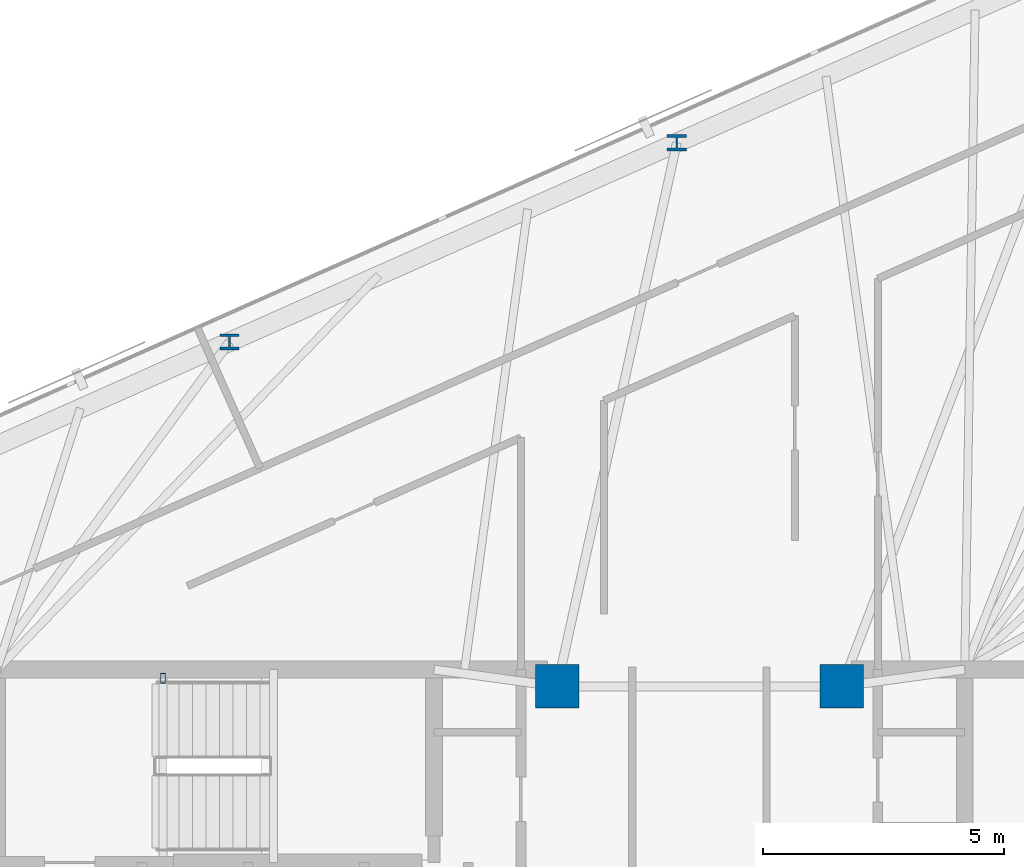
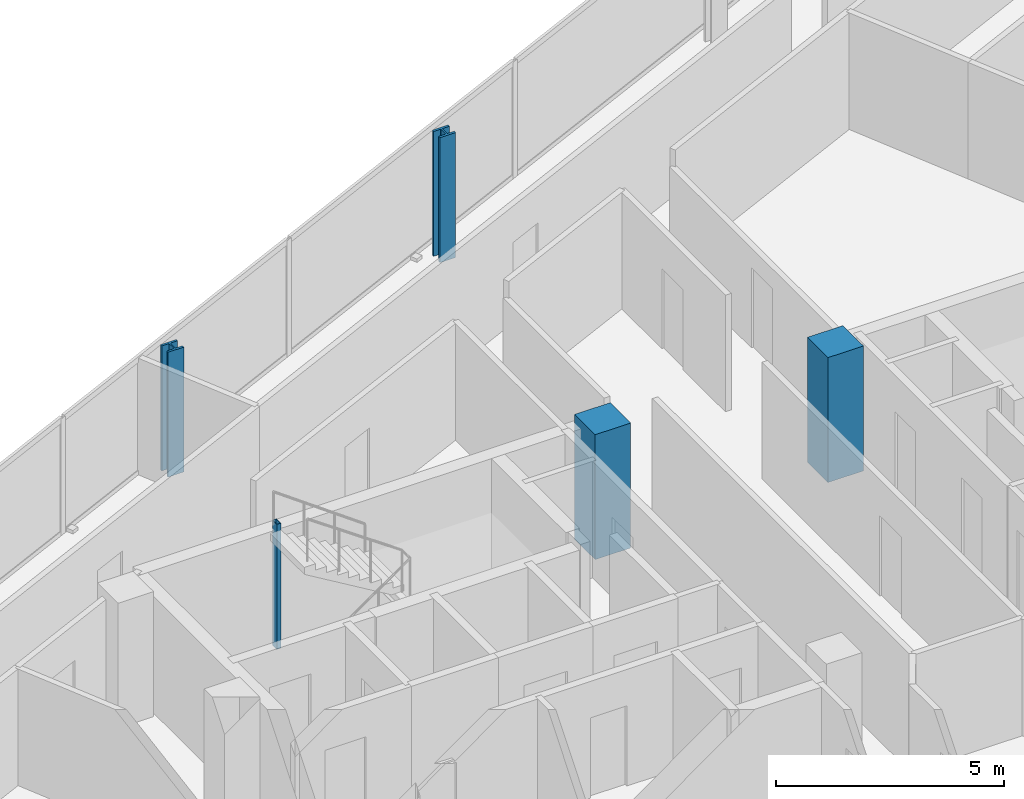
# One storey, part 2 of 18: 5 columns.
"""IFC4 building model written with IfcOpenShell, lengths in metres."""

from ifc_helpers import new_model, si_unit, direction, frame, origin, origin_2d, place, context, subcontext, project, spatial, rectangle, hollow_rectangle, i_section, extrude, material, material_profile, profile_set, type_object, element, save


model = new_model("IFC4")

# Units and contexts
model_context = context("Model", 3, precision=1e-05, world=origin(), true_north=direction((0.0, 1.0)))
body_context = subcontext(model_context, "Body", "Model", "MODEL_VIEW")
ifc_project = project(units=[si_unit("LENGTHUNIT", "METRE"), si_unit("AREAUNIT", "SQUARE_METRE"), si_unit("VOLUMEUNIT", "CUBIC_METRE"), si_unit("PLANEANGLEUNIT", "RADIAN"), si_unit("MASSUNIT", "GRAM", prefix="KILO")], contexts=[model_context])

# Site, building, storey
site_placement = place(None, origin())
site = spatial("IfcSite", under=ifc_project, at=site_placement, CompositionType="ELEMENT")
building_placement = place(site_placement, origin())
building = spatial("IfcBuilding", under=site, at=building_placement, Name="Menara Jurai Vektor", CompositionType="ELEMENT")
storey_placement = place(building_placement, frame((0.0, 0.0, 258.85009765625)))
storey = spatial("IfcBuildingStorey", under=building, at=storey_placement, Name="L69", CompositionType="ELEMENT", Elevation=258.85009765625)

# Columns
ifc_material_1 = material(Name="Concrete C50/60", Category="concrete")
ifc_material_profile_1 = material_profile(ifc_material_1, rectangle(XDim=0.89990234375, YDim=0.89990234375, at=origin_2d()), Name="RC 900x900")
ifc_profile_set_1 = profile_set([ifc_material_profile_1], Name="Concrete C50/60")
column_type_1 = type_object("IfcColumnType", Name="STR-COL-RC900", PredefinedType="COLUMN", material=ifc_profile_set_1)
for number, where, z_axis, x_axis, name in (
    (1, (-2.949951171875, 5.25, 0.0), (0.0, 0.0, 1.0), (1.0, 0.0, 0.0), "Core Spine Column CW-NE L69"),
    (2, (2.949951171875, 5.25, 0.0), (0.0, 0.0, 1.0), (1.0, 0.0, 0.0), "Core Spine Column CE-NW L69"),
):
    element("IfcColumn", number, at=place(storey_placement, frame(where, z_axis=z_axis, x_axis=x_axis)), inside=storey, type_object=column_type_1, Name=name, PredefinedType="COLUMN", context=body_context, shape_type="SweptSolid", body=[
        extrude(rectangle(XDim=0.89990234375, YDim=0.89990234375, at=origin_2d()), origin(), (0.0, 0.0, 1.0), 3.349853515625),
    ])
ifc_material_2 = material(Name="Steel S355", Category="steel")
ifc_material_profile_2 = material_profile(ifc_material_2, hollow_rectangle(XDim=0.10009765625, YDim=0.199951171875, WallThickness=0.008056640625, at=origin_2d()), Name="RHS 200x100x8")
ifc_profile_set_2 = profile_set([ifc_material_profile_2], Name="Steel S355")
column_type_2 = type_object("IfcColumnType", Name="STR-COL-STAIR", PredefinedType="COLUMN", material=ifc_profile_set_2)
column_placement = place(storey_placement, frame((-11.1201171875, 5.419921875, 0.0), z_axis=(0.0, 0.0, 1.0), x_axis=(1.0, 0.0, 0.0)))
element("IfcColumn", 3, at=column_placement, inside=storey, type_object=column_type_2, Name="Stair Well Header Column ST1-P2 L69", PredefinedType="COLUMN", context=body_context, shape_type="SweptSolid", body=[
    extrude(hollow_rectangle(XDim=0.10009765625, YDim=0.199951171875, WallThickness=0.008056640625, at=origin_2d()), origin(), (0.0, 0.0, 1.0), 3.349853515625),
])
ifc_material_3 = material(Name="Steel S460", Category="steel")
ifc_material_profile_3 = material_profile(ifc_material_3, i_section(OverallWidth=0.40087890625, OverallDepth=0.3349609375, WebThickness=0.035888671875, FlangeThickness=0.05810546875, FilletRadius=0.014892578125, at=origin_2d()), Name="HD 400x463")
ifc_profile_set_3 = profile_set([ifc_material_profile_3], Name="Steel S460")
column_type_3 = type_object("IfcColumnType", Name="STR-EXO-BLK5", PredefinedType="COLUMN", material=ifc_profile_set_3)
for number, where, z_axis, x_axis, name in (
    (4, (-0.467529296875, 16.519287109375, 0.0), (0.0, 0.0, 1.0), (1.0, 0.0, 0.0), "Exoskeleton Column BLK5-N3 L69"),
    (5, (-9.740966796875, 12.390380859375, 0.0), (0.0, 0.0, 1.0), (1.0, 0.0, 0.0), "Exoskeleton Column BLK5-N4 L69"),
):
    element("IfcColumn", number, at=place(storey_placement, frame(where, z_axis=z_axis, x_axis=x_axis)), inside=storey, type_object=column_type_3, Name=name, PredefinedType="COLUMN", context=body_context, shape_type="SweptSolid", body=[
        extrude(i_section(OverallWidth=0.40087890625, OverallDepth=0.3349609375, WebThickness=0.035888671875, FlangeThickness=0.05810546875, FilletRadius=0.014892578125, at=origin_2d()), origin(), (0.0, 0.0, 1.0), 3.349853515625),
    ])

save(model, "model.ifc")
